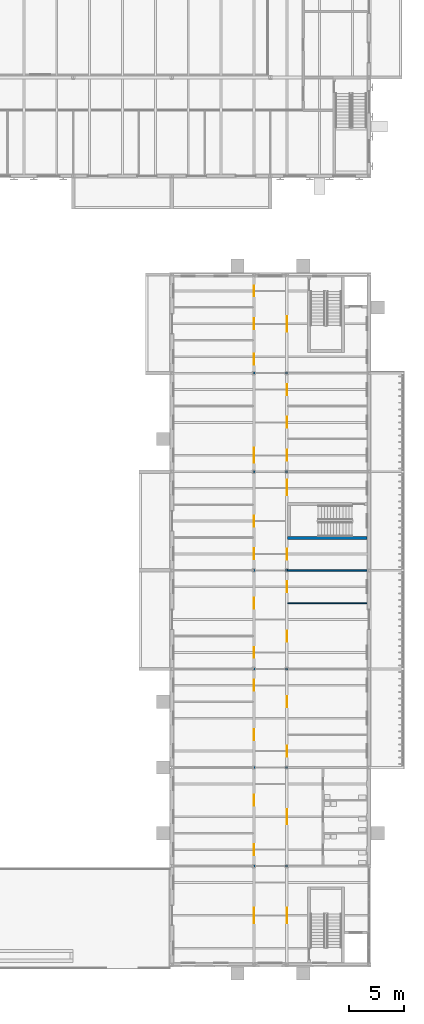
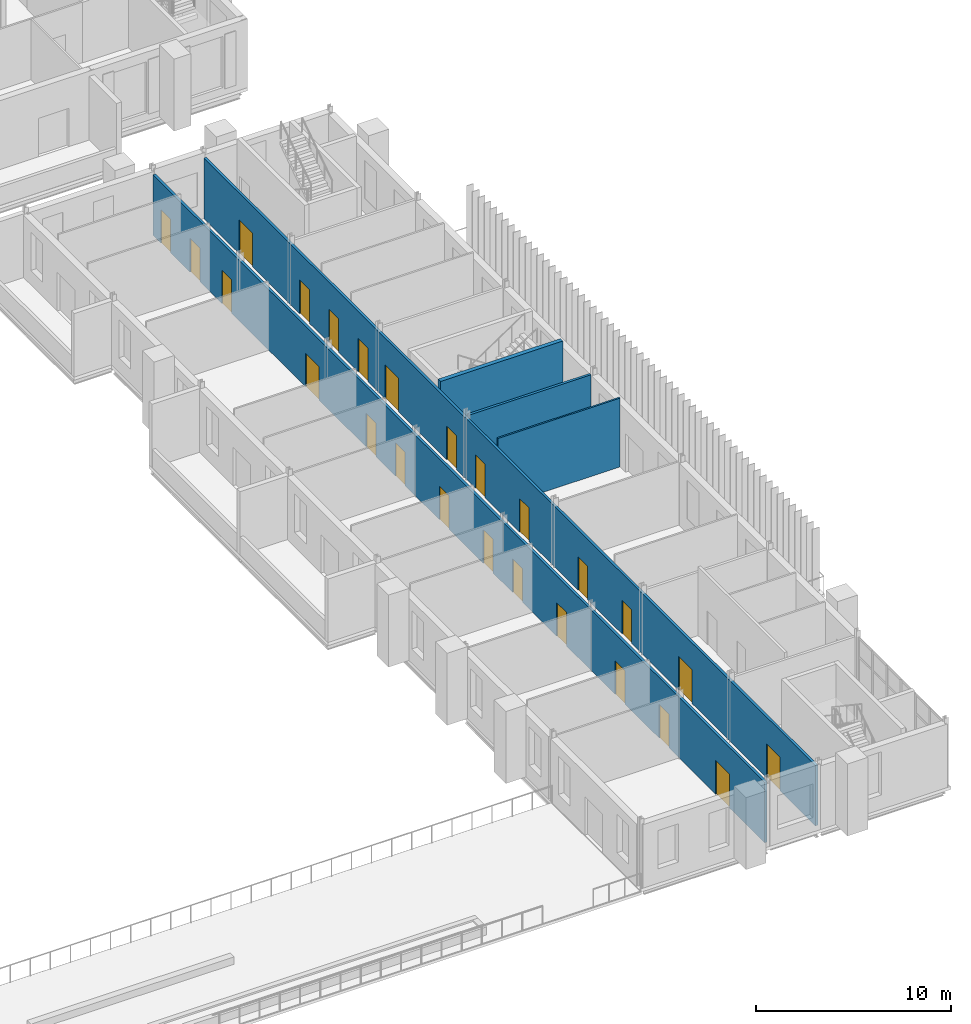
# One storey, part 89 of 134: 25 doors, 5 walls, 25 openings.
"""IFC4 building model written with IfcOpenShell, lengths in metres."""

import ifcopenshell
import ifcopenshell.guid

model = None  # the IFC model being written
_history = None  # IfcOwnerHistory: only IFC2X3 demands one
_inside = {}  # id of a spatial element -> (the spatial element, [elements in it])
_under = {}  # id of a project, library or spatial element -> (it, [spatial elements below it])
_declared = {}  # id of a project -> (the project, [libraries it declares])
_typed = {}  # id of a type object -> (the type object, [elements of that type])
_made_of = {}  # id of a material, layer set ... -> (it, [elements and type objects made of it])


def new_model(schema):
    """Start an empty IFC model of exactly this schema.

    Asked for "IFC4X3", IfcOpenShell would pick the latest addendum, in which some entities
    have other attributes; the version numbers below select the first issue.
    IFC2X3 requires an IfcOwnerHistory on every rooted entity: one is made here for all.
    """
    global model, _history
    if schema == "IFC4X3":
        model = ifcopenshell.file(schema_version=(4, 3, 0, 0))
    else:
        model = ifcopenshell.file(schema=schema)
    _inside.clear()
    _under.clear()
    _declared.clear()
    _typed.clear()
    _made_of.clear()
    _history = None
    if model.schema == "IFC2X3":
        org = make("IfcOrganization", Name="unknown")
        user = make(
            "IfcPersonAndOrganization",
            ThePerson=make("IfcPerson", FamilyName="unknown"),
            TheOrganization=org,
        )
        app = make(
            "IfcApplication",
            ApplicationDeveloper=org,
            Version="unknown",
            ApplicationFullName="unknown",
            ApplicationIdentifier="unknown",
        )
        _history = make(
            "IfcOwnerHistory",
            OwningUser=user,
            OwningApplication=app,
            ChangeAction="ADDED",
            CreationDate=0,
        )
    return model


def make(cls, **values):
    """One entity of the class cls with the attributes given. An attribute that is None is left unset."""
    return model.create_entity(
        cls, **{name: value for name, value in values.items() if value is not None}
    )


def rooted(cls, **values):
    """An entity with a GlobalId (a new one), such as an element, a storey or a relation."""
    return make(cls, GlobalId=ifcopenshell.guid.new(), OwnerHistory=_history, **values)


def si_unit(unit_type, name, prefix=None):
    """IfcSIUnit, for example si_unit("LENGTHUNIT", "METRE", prefix="MILLI")."""
    return make("IfcSIUnit", UnitType=unit_type, Prefix=prefix, Name=name)


def assignment(units):
    """IfcUnitAssignment: the units of a project."""
    return None if units is None else make("IfcUnitAssignment", Units=units)


def point(xyz):
    """IfcCartesianPoint."""
    return None if xyz is None else make("IfcCartesianPoint", Coordinates=xyz)


def direction(xyz):
    """IfcDirection."""
    return None if xyz is None else make("IfcDirection", DirectionRatios=xyz)


def frame(location, z_axis=None, x_axis=None):
    """IfcAxis2Placement3D, a coordinate frame: its origin and axes. An axis left out is left unset."""
    return make(
        "IfcAxis2Placement3D",
        Location=point(location),
        Axis=direction(z_axis),
        RefDirection=direction(x_axis),
    )


def frame_2d(location, x_axis=None):
    """IfcAxis2Placement2D, a coordinate frame in the plane: its origin and x axis."""
    return make(
        "IfcAxis2Placement2D", Location=point(location), RefDirection=direction(x_axis)
    )


def origin():
    """The frame at (0, 0, 0) with its axes left unset."""
    return frame((0.0, 0.0, 0.0))


def place(relative_to, where):
    """IfcLocalPlacement: puts the frame where relative to a parent placement (None: the world)."""
    return make(
        "IfcLocalPlacement", PlacementRelTo=relative_to, RelativePlacement=where
    )


def context(
    kind, dimensions, precision=None, world=None, true_north=None, identifier=None
):
    """IfcGeometricRepresentationContext, for example the 3D "Model" context."""
    return make(
        "IfcGeometricRepresentationContext",
        ContextIdentifier=identifier,
        ContextType=kind,
        CoordinateSpaceDimension=dimensions,
        Precision=precision,
        WorldCoordinateSystem=world,
        TrueNorth=true_north,
    )


def subcontext(parent, identifier, kind, view, scale=None):
    """IfcGeometricRepresentationSubContext, for example "Body" below "Model"."""
    return make(
        "IfcGeometricRepresentationSubContext",
        ContextIdentifier=identifier,
        ContextType=kind,
        ParentContext=parent,
        TargetScale=scale,
        TargetView=view,
    )


def project(units=None, contexts=None):
    """IfcProject with its units and contexts."""
    return rooted(
        "IfcProject",
        Name="project",
        RepresentationContexts=contexts,
        UnitsInContext=assignment(units),
    )


def spatial(cls, under=None, at=None, **own):
    """A site, building, storey or space (cls), placed at a placement, below another one or the project."""
    s = rooted(cls, ObjectPlacement=at, **own)
    if under is not None:
        _under.setdefault(under.id(), (under, []))[1].append(s)
    return s


def profile(cls, at=None, kind="AREA", **sizes):
    """A parametric profile (cls). Its sizes go by their IFC names, for example OverallWidth=200.0."""
    return make(cls, ProfileType=kind, Position=at, **sizes)


def rectangle(**sizes):
    """IfcRectangleProfileDef."""
    return profile("IfcRectangleProfileDef", **sizes)


def extrude(swept, where, along, depth):
    """IfcExtrudedAreaSolid: the profile swept, set in the frame where, extruded along a direction by depth."""
    return make(
        "IfcExtrudedAreaSolid",
        SweptArea=swept,
        Position=where,
        ExtrudedDirection=direction(along),
        Depth=depth,
    )


def shape(context_of_items, identifier, shape_type, items):
    """IfcShapeRepresentation: the items that make up one representation, for example the "Body"."""
    return make(
        "IfcShapeRepresentation",
        ContextOfItems=context_of_items,
        RepresentationIdentifier=identifier,
        RepresentationType=shape_type,
        Items=items,
    )


def material(Name=None, Category=None):
    """IfcMaterial."""
    return make("IfcMaterial", Name=Name, Category=Category)


def layer(
    of_material, thickness, ventilated=None, Name=None, Category=None, Priority=None
):
    """IfcMaterialLayer: one layer of a wall or slab, of a material (None: an air gap)."""
    return make(
        "IfcMaterialLayer",
        Material=of_material,
        LayerThickness=thickness,
        IsVentilated=ventilated,
        Name=Name,
        Category=Category,
        Priority=Priority,
    )


def layer_set(layers, Name=None):
    """IfcMaterialLayerSet."""
    return make("IfcMaterialLayerSet", MaterialLayers=layers, LayerSetName=Name)


def made_of(thing, what):
    """Note that an element or type object is made of a material, layer set ...; save() writes the relation."""
    if what is not None:
        _made_of.setdefault(what.id(), (what, []))[1].append(thing)
    return thing


def type_object(cls, material=None, **own):
    """A type object (cls), such as IfcWallType, which elements share."""
    return made_of(rooted(cls, **own), material)


def element(
    cls,
    number,
    at=None,
    inside=None,
    cuts=None,
    type_object=None,
    material=None,
    context=None,
    identifier="Body",
    shape_type=None,
    held_by="IfcProductDefinitionShape",
    body=None,
    shapes=None,
    **own,
):
    """One element of the class cls, such as IfcWall. Its Tag is "e" and its number.

    at: its placement. inside: the storey or other place that contains it. cuts: it is an
    opening in that element (IfcRelVoidsElement). A single representation is given by context,
    identifier, shape_type and body (its items); several are given by shapes. held_by: the class
    of the entity that holds the representations. save() writes the other relations.
    """
    e = rooted(cls, Tag="e%d" % number, ObjectPlacement=at, **own)
    if body is not None:
        shapes = [shape(context, identifier, shape_type, body)]
    if shapes is not None:
        e.Representation = make(held_by, Representations=shapes)
    if inside is not None:
        _inside.setdefault(inside.id(), (inside, []))[1].append(e)
    if cuts is not None:
        rooted(
            "IfcRelVoidsElement", RelatingBuildingElement=cuts, RelatedOpeningElement=e
        )
    if type_object is not None:
        _typed.setdefault(type_object.id(), (type_object, []))[1].append(e)
    return made_of(e, material)


def fill(opening, filler):
    """IfcRelFillsElement: the door or window that sits in an opening."""
    return rooted(
        "IfcRelFillsElement",
        RelatingOpeningElement=opening,
        RelatedBuildingElement=filler,
    )


def aggregate(whole, parts):
    """IfcRelAggregates: a whole, such as a stair, and the parts it consists of."""
    return rooted("IfcRelAggregates", RelatingObject=whole, RelatedObjects=parts)


def save(model, path):
    """Write the relations noted so far, then the file.

    IfcRelAggregates (storeys below a building ...), IfcRelContainedInSpatialStructure (elements
    in a storey), IfcRelDefinesByType, IfcRelAssociatesMaterial and IfcRelDeclares: one each for
    every whole, place, type object, material and project.
    """
    for whole, parts in _under.values():
        aggregate(whole, parts)
    for where, things in _inside.values():
        rooted(
            "IfcRelContainedInSpatialStructure",
            RelatedElements=things,
            RelatingStructure=where,
        )
    for kind, things in _typed.values():
        rooted("IfcRelDefinesByType", RelatedObjects=things, RelatingType=kind)
    for what, things in _made_of.values():
        rooted("IfcRelAssociatesMaterial", RelatedObjects=things, RelatingMaterial=what)
    for by, libraries in _declared.values():
        rooted("IfcRelDeclares", RelatingContext=by, RelatedDefinitions=libraries)
    model.write(path)


model = new_model("IFC4")

# Units and contexts
model_context = context("Model", 3, precision=1e-05, world=origin(), true_north=direction((0.0, 1.0)))
body_context = subcontext(model_context, "Body", "Model", "MODEL_VIEW")
ifc_project = project(units=[si_unit("LENGTHUNIT", "METRE"), si_unit("AREAUNIT", "SQUARE_METRE"), si_unit("VOLUMEUNIT", "CUBIC_METRE"), si_unit("PLANEANGLEUNIT", "RADIAN"), si_unit("MASSUNIT", "GRAM", prefix="KILO")], contexts=[model_context])

# Site, building, storey
site_placement = place(None, origin())
site = spatial("IfcSite", under=ifc_project, at=site_placement, CompositionType="ELEMENT")
building_placement = place(site_placement, origin())
building = spatial("IfcBuilding", under=site, at=building_placement, Name="Golden Quay Civic Hall", CompositionType="ELEMENT")
storey_placement = place(building_placement, frame((0.0, 0.0, 5.39990234375)))
storey = spatial("IfcBuildingStorey", under=building, at=storey_placement, Name="L01", CompositionType="ELEMENT", Elevation=5.39990234375)

# Walls
ifc_material_1 = material(Name="Concrete C40/50", Category="concrete")
ifc_layer_1 = layer(ifc_material_1, 0.25)
ifc_layer_set_1 = layer_set([ifc_layer_1], Name="Concrete core wall 250, Concrete C40/50")
wall_type_1 = type_object("IfcWallType", Name="Concrete core wall 250", PredefinedType="SHEAR", material=ifc_layer_set_1)
wall_1_placement = place(storey_placement, frame((163.574951171875, 29.949951171875, 0.0), z_axis=(0.0, 0.0, 1.0), x_axis=(1.0, 0.0, 0.0)))
element("IfcWall", 1, at=wall_1_placement, inside=storey, type_object=wall_type_1, Name="Core wall EO-M-W2", PredefinedType="SHEAR", context=body_context, shape_type="SweptSolid", body=[
    extrude(rectangle(XDim=7.22509765625, YDim=0.25, at=frame_2d((3.612548828125, 0.0))), origin(), (0.0, 0.0, 1.0), 4.300048828125),
])
ifc_material_2 = material(Name="Plasterboard on steel studs", Category="steel")
ifc_layer_2 = layer(ifc_material_2, 0.10009765625)
ifc_layer_set_2 = layer_set([ifc_layer_2], Name="Partition 100 stud")
wall_type_2 = type_object("IfcWallType", Name="Partition 100 stud", PredefinedType="PARTITIONING", material=ifc_layer_set_2)
wall_2_placement = place(storey_placement, frame((163.574951171875, 24.0, 0.0), z_axis=(0.0, 0.0, 1.0), x_axis=(1.0, 0.0, 0.0)))
element("IfcWall", 2, at=wall_2_placement, inside=storey, type_object=wall_type_2, Name="Partition L01-003", PredefinedType="PARTITIONING", context=body_context, shape_type="SweptSolid", body=[
    extrude(rectangle(XDim=7.22509765625, YDim=0.10009765625, at=frame_2d((3.612548828125, 0.0))), origin(), (0.0, 0.0, 1.0), 4.300048828125),
])
ifc_material_3 = material(Name="Plasterboard on steel studs", Category="steel")
ifc_layer_3 = layer(ifc_material_3, 0.14990234375)
ifc_layer_set_3 = layer_set([ifc_layer_3], Name="Partition 150 stud fire EI 60")
wall_type_3 = type_object("IfcWallType", Name="Partition 150 stud fire EI 60", PredefinedType="PARTITIONING", material=ifc_layer_set_3)
wall_3_placement = place(storey_placement, frame((163.574951171875, 27.0, 0.0), z_axis=(0.0, 0.0, 1.0), x_axis=(1.0, 0.0, 0.0)))
element("IfcWall", 3, at=wall_3_placement, inside=storey, type_object=wall_type_3, Name="Partition L01-004", PredefinedType="PARTITIONING", context=body_context, shape_type="SweptSolid", body=[
    extrude(rectangle(XDim=7.22509765625, YDim=0.14990234375, at=frame_2d((3.612548828125, 0.0))), origin(), (0.0, 0.0, 1.0), 3.9501953125),
])

# Wall, openings, doors
wall_4_placement = place(storey_placement, frame((163.5, -8.800048828125, 0.0), z_axis=(0.0, 0.0, 1.0), x_axis=(0.0, 1.0, 0.0)))
wall_4 = element("IfcWall", 4, at=wall_4_placement, inside=storey, type_object=wall_type_3, Name="Partition L01-022", PredefinedType="PARTITIONING", context=body_context, shape_type="SweptSolid", body=[
    extrude(rectangle(XDim=62.60009765625, YDim=0.14990234375, at=frame_2d((31.300048828125, 0.0))), origin(), (0.0, 0.0, 1.0), 3.780029296875),
])
opening_1_placement = place(wall_4_placement, frame((18.800048828125, 0.0, 0.0)))
opening_1 = element("IfcOpeningElement", 5, at=opening_1_placement, cuts=wall_4, Name="Opening L01-D131", PredefinedType="OPENING", context=body_context, shape_type="SweptSolid", body=[
    extrude(rectangle(XDim=1.0, YDim=2.10009765625, at=frame_2d((0.5, 1.050048828125))), frame((0.0, 0.0849609375, 0.0), z_axis=(0.0, -1.0, 0.0), x_axis=(1.0, 0.0, 0.0)), (0.0, 0.0, 1.0), 0.169921875),
])
opening_2_placement = place(wall_4_placement, frame((23.300048828125, 0.0, 0.0)))
opening_2 = element("IfcOpeningElement", 6, at=opening_2_placement, cuts=wall_4, Name="Opening L01-D132", PredefinedType="OPENING", context=body_context, shape_type="SweptSolid", body=[
    extrude(rectangle(XDim=1.0, YDim=2.10009765625, at=frame_2d((0.5, 1.050048828125))), frame((0.0, 0.0849609375, 0.0), z_axis=(0.0, -1.0, 0.0), x_axis=(1.0, 0.0, 0.0)), (0.0, 0.0, 1.0), 0.169921875),
])
opening_3_placement = place(wall_4_placement, frame((29.300048828125, 0.0, 0.0)))
opening_3 = element("IfcOpeningElement", 7, at=opening_3_placement, cuts=wall_4, Name="Opening L01-D133", PredefinedType="OPENING", context=body_context, shape_type="SweptSolid", body=[
    extrude(rectangle(XDim=1.0, YDim=2.10009765625, at=frame_2d((0.5, 1.050048828125))), frame((0.0, 0.0849609375, 0.0), z_axis=(0.0, -1.0, 0.0), x_axis=(1.0, 0.0, 0.0)), (0.0, 0.0, 1.0), 0.169921875),
])
opening_4_placement = place(wall_4_placement, frame((33.800048828125, 0.0, 0.0)))
opening_4 = element("IfcOpeningElement", 8, at=opening_4_placement, cuts=wall_4, Name="Opening L01-D134", PredefinedType="OPENING", context=body_context, shape_type="SweptSolid", body=[
    extrude(rectangle(XDim=1.0, YDim=2.10009765625, at=frame_2d((0.5, 1.050048828125))), frame((0.0, 0.0849609375, 0.0), z_axis=(0.0, -1.0, 0.0), x_axis=(1.0, 0.0, 0.0)), (0.0, 0.0, 1.0), 0.169921875),
])
opening_5_placement = place(wall_4_placement, frame((45.800048828125, 0.0, 0.0)))
opening_5 = element("IfcOpeningElement", 9, at=opening_5_placement, cuts=wall_4, Name="Opening L01-D135", PredefinedType="OPENING", context=body_context, shape_type="SweptSolid", body=[
    extrude(rectangle(XDim=1.0, YDim=2.10009765625, at=frame_2d((0.5, 1.050048828125))), frame((0.0, 0.0849609375, 0.0), z_axis=(0.0, -1.0, 0.0), x_axis=(1.0, 0.0, 0.0)), (0.0, 0.0, 1.0), 0.169921875),
])
opening_6_placement = place(wall_4_placement, frame((48.800048828125, 0.0, 0.0)))
opening_6 = element("IfcOpeningElement", 10, at=opening_6_placement, cuts=wall_4, Name="Opening L01-D136", PredefinedType="OPENING", context=body_context, shape_type="SweptSolid", body=[
    extrude(rectangle(XDim=1.0, YDim=2.10009765625, at=frame_2d((0.5, 1.050048828125))), frame((0.0, 0.0849609375, 0.0), z_axis=(0.0, -1.0, 0.0), x_axis=(1.0, 0.0, 0.0)), (0.0, 0.0, 1.0), 0.169921875),
])
opening_7_placement = place(wall_4_placement, frame((51.800048828125, 0.0, 0.0)))
opening_7 = element("IfcOpeningElement", 11, at=opening_7_placement, cuts=wall_4, Name="Opening L01-D137", PredefinedType="OPENING", context=body_context, shape_type="SweptSolid", body=[
    extrude(rectangle(XDim=1.0, YDim=2.10009765625, at=frame_2d((0.5, 1.050048828125))), frame((0.0, 0.0849609375, 0.0), z_axis=(0.0, -1.0, 0.0), x_axis=(1.0, 0.0, 0.0)), (0.0, 0.0, 1.0), 0.169921875),
])
opening_8_placement = place(wall_4_placement, frame((12.60009765625, 0.0, 0.0)))
opening_8 = element("IfcOpeningElement", 12, at=opening_8_placement, cuts=wall_4, Name="Opening L01-D151", PredefinedType="OPENING", context=body_context, shape_type="SweptSolid", body=[
    extrude(rectangle(XDim=1.39990234375, YDim=2.10009765625, at=frame_2d((0.699951171875, 1.050048828125))), frame((0.0, 0.0849609375, 0.0), z_axis=(0.0, -1.0, 0.0), x_axis=(1.0, 0.0, 0.0)), (0.0, 0.0, 1.0), 0.169921875),
])
opening_9_placement = place(wall_4_placement, frame((3.60009765625, 0.0, 0.0)))
opening_9 = element("IfcOpeningElement", 13, at=opening_9_placement, cuts=wall_4, Name="Opening L01-D156", PredefinedType="OPENING", context=body_context, shape_type="SweptSolid", body=[
    extrude(rectangle(XDim=1.39990234375, YDim=2.10009765625, at=frame_2d((0.699951171875, 1.050048828125))), frame((0.0, 0.0849609375, 0.0), z_axis=(0.0, -1.0, 0.0), x_axis=(1.0, 0.0, 0.0)), (0.0, 0.0, 1.0), 0.169921875),
])
opening_10_placement = place(wall_4_placement, frame((57.60009765625, 0.0, 0.0)))
opening_10 = element("IfcOpeningElement", 14, at=opening_10_placement, cuts=wall_4, Name="Opening L01-D158", PredefinedType="OPENING", context=body_context, shape_type="SweptSolid", body=[
    extrude(rectangle(XDim=1.39990234375, YDim=2.10009765625, at=frame_2d((0.699951171875, 1.050048828125))), frame((0.0, 0.0849609375, 0.0), z_axis=(0.0, -1.0, 0.0), x_axis=(1.0, 0.0, 0.0)), (0.0, 0.0, 1.0), 0.169921875),
])
opening_11_placement = place(wall_4_placement, frame((36.75, 0.0, 0.0)))
opening_11 = element("IfcOpeningElement", 15, at=opening_11_placement, cuts=wall_4, Name="Opening L01-D159", PredefinedType="OPENING", context=body_context, shape_type="SweptSolid", body=[
    extrude(rectangle(XDim=1.0, YDim=2.10009765625, at=frame_2d((0.5, 1.050048828125))), frame((0.0, 0.0849609375, 0.0), z_axis=(0.0, -1.0, 0.0), x_axis=(1.0, 0.0, 0.0)), (0.0, 0.0, 1.0), 0.169921875),
])
opening_12_placement = place(wall_4_placement, frame((42.64990234375, 0.0, 0.0)))
opening_12 = element("IfcOpeningElement", 16, at=opening_12_placement, cuts=wall_4, Name="Opening L01-D161", PredefinedType="OPENING", context=body_context, shape_type="SweptSolid", body=[
    extrude(rectangle(XDim=1.39990234375, YDim=2.10009765625, at=frame_2d((0.699951171875, 1.050048828125))), frame((0.0, 0.0849609375, 0.0), z_axis=(0.0, -1.0, 0.0), x_axis=(1.0, 0.0, 0.0)), (0.0, 0.0, 1.0), 0.169921875),
])
ifc_material_4 = material(Name="Steel", Category="steel")
door_type_1 = type_object("IfcDoorType", Name="Steel double fire door FD30S 1400 x 2100", OperationType="DOUBLE_DOOR_SINGLE_SWING", PredefinedType="DOOR", material=ifc_material_4)
door_1_placement = place(opening_8_placement, frame((1.39990234375, 0.0, 0.0), z_axis=(0.0, 0.0, 1.0), x_axis=(-1.0, 0.0, 0.0)))
door_1 = element("IfcDoor", 17, at=door_1_placement, inside=storey, type_object=door_type_1, Name="Door L01-D151", OperationType="DOUBLE_DOOR_SINGLE_SWING", OverallHeight=2.10009765625, OverallWidth=1.39990234375, PredefinedType="DOOR", context=body_context, shape_type="SweptSolid", body=[
    extrude(rectangle(XDim=1.39990234375, YDim=2.10009765625, at=frame_2d((0.699951171875, 1.050048828125))), frame((0.0, 0.025146484375, 0.0), z_axis=(0.0, -1.0, 0.0), x_axis=(1.0, 0.0, 0.0)), (0.0, 0.0, 1.0), 0.050048828125),
])
fill(opening_8, door_1)
door_2_placement = place(opening_9_placement, origin())
door_2 = element("IfcDoor", 18, at=door_2_placement, inside=storey, type_object=door_type_1, Name="Door L01-D156", OperationType="DOUBLE_DOOR_SINGLE_SWING", OverallHeight=2.10009765625, OverallWidth=1.39990234375, PredefinedType="DOOR", context=body_context, shape_type="SweptSolid", body=[
    extrude(rectangle(XDim=1.39990234375, YDim=2.10009765625, at=frame_2d((0.699951171875, 1.050048828125))), frame((0.0, 0.02490234375, 0.0), z_axis=(0.0, -1.0, 0.0), x_axis=(1.0, 0.0, 0.0)), (0.0, 0.0, 1.0), 0.050048828125),
])
fill(opening_9, door_2)
door_3_placement = place(opening_10_placement, origin())
door_3 = element("IfcDoor", 19, at=door_3_placement, inside=storey, type_object=door_type_1, Name="Door L01-D158", OperationType="DOUBLE_DOOR_SINGLE_SWING", OverallHeight=2.10009765625, OverallWidth=1.39990234375, PredefinedType="DOOR", context=body_context, shape_type="SweptSolid", body=[
    extrude(rectangle(XDim=1.39990234375, YDim=2.10009765625, at=frame_2d((0.699951171875, 1.050048828125))), frame((0.0, 0.02490234375, 0.0), z_axis=(0.0, -1.0, 0.0), x_axis=(1.0, 0.0, 0.0)), (0.0, 0.0, 1.0), 0.050048828125),
])
fill(opening_10, door_3)
door_4_placement = place(opening_12_placement, origin())
door_4 = element("IfcDoor", 20, at=door_4_placement, inside=storey, type_object=door_type_1, Name="Door L01-D161", OperationType="DOUBLE_DOOR_SINGLE_SWING", OverallHeight=2.10009765625, OverallWidth=1.39990234375, PredefinedType="DOOR", context=body_context, shape_type="SweptSolid", body=[
    extrude(rectangle(XDim=1.39990234375, YDim=2.10009765625, at=frame_2d((0.699951171875, 1.050048828125))), frame((0.0, 0.02490234375, 0.0), z_axis=(0.0, -1.0, 0.0), x_axis=(1.0, 0.0, 0.0)), (0.0, 0.0, 1.0), 0.050048828125),
])
fill(opening_12, door_4)
ifc_material_5 = material(Name="Steel", Category="steel")
door_type_2 = type_object("IfcDoorType", Name="Steel fire door FD30S 1000 x 2100", OperationType="SINGLE_SWING_LEFT", PredefinedType="DOOR", material=ifc_material_5)
door_5_placement = place(opening_1_placement, frame((1.0, 0.0, 0.0), z_axis=(0.0, 0.0, 1.0), x_axis=(-1.0, 0.0, 0.0)))
door_5 = element("IfcDoor", 21, at=door_5_placement, inside=storey, type_object=door_type_2, Name="Door L01-D131", OperationType="SINGLE_SWING_RIGHT", OverallHeight=2.10009765625, OverallWidth=1.0, PredefinedType="DOOR", context=body_context, shape_type="SweptSolid", body=[
    extrude(rectangle(XDim=1.0, YDim=2.10009765625, at=frame_2d((0.5, 1.050048828125))), frame((0.0, 0.025146484375, 0.0), z_axis=(0.0, -1.0, 0.0), x_axis=(1.0, 0.0, 0.0)), (0.0, 0.0, 1.0), 0.050048828125),
])
fill(opening_1, door_5)
door_6_placement = place(opening_2_placement, frame((1.0, 0.0, 0.0), z_axis=(0.0, 0.0, 1.0), x_axis=(-1.0, 0.0, 0.0)))
door_6 = element("IfcDoor", 22, at=door_6_placement, inside=storey, type_object=door_type_2, Name="Door L01-D132", OperationType="SINGLE_SWING_RIGHT", OverallHeight=2.10009765625, OverallWidth=1.0, PredefinedType="DOOR", context=body_context, shape_type="SweptSolid", body=[
    extrude(rectangle(XDim=1.0, YDim=2.10009765625, at=frame_2d((0.5, 1.050048828125))), frame((0.0, 0.025146484375, 0.0), z_axis=(0.0, -1.0, 0.0), x_axis=(1.0, 0.0, 0.0)), (0.0, 0.0, 1.0), 0.050048828125),
])
fill(opening_2, door_6)
door_7_placement = place(opening_3_placement, frame((1.0, 0.0, 0.0), z_axis=(0.0, 0.0, 1.0), x_axis=(-1.0, 0.0, 0.0)))
door_7 = element("IfcDoor", 23, at=door_7_placement, inside=storey, type_object=door_type_2, Name="Door L01-D133", OperationType="SINGLE_SWING_RIGHT", OverallHeight=2.10009765625, OverallWidth=1.0, PredefinedType="DOOR", context=body_context, shape_type="SweptSolid", body=[
    extrude(rectangle(XDim=1.0, YDim=2.10009765625, at=frame_2d((0.5, 1.050048828125))), frame((0.0, 0.025146484375, 0.0), z_axis=(0.0, -1.0, 0.0), x_axis=(1.0, 0.0, 0.0)), (0.0, 0.0, 1.0), 0.050048828125),
])
fill(opening_3, door_7)
door_8_placement = place(opening_4_placement, frame((1.0, 0.0, 0.0), z_axis=(0.0, 0.0, 1.0), x_axis=(-1.0, 0.0, 0.0)))
door_8 = element("IfcDoor", 24, at=door_8_placement, inside=storey, type_object=door_type_2, Name="Door L01-D134", OperationType="SINGLE_SWING_RIGHT", OverallHeight=2.10009765625, OverallWidth=1.0, PredefinedType="DOOR", context=body_context, shape_type="SweptSolid", body=[
    extrude(rectangle(XDim=1.0, YDim=2.10009765625, at=frame_2d((0.5, 1.050048828125))), frame((0.0, 0.025146484375, 0.0), z_axis=(0.0, -1.0, 0.0), x_axis=(1.0, 0.0, 0.0)), (0.0, 0.0, 1.0), 0.050048828125),
])
fill(opening_4, door_8)
door_9_placement = place(opening_5_placement, frame((1.0, 0.0, 0.0), z_axis=(0.0, 0.0, 1.0), x_axis=(-1.0, 0.0, 0.0)))
door_9 = element("IfcDoor", 25, at=door_9_placement, inside=storey, type_object=door_type_2, Name="Door L01-D135", OperationType="SINGLE_SWING_RIGHT", OverallHeight=2.10009765625, OverallWidth=1.0, PredefinedType="DOOR", context=body_context, shape_type="SweptSolid", body=[
    extrude(rectangle(XDim=1.0, YDim=2.10009765625, at=frame_2d((0.5, 1.050048828125))), frame((0.0, 0.025146484375, 0.0), z_axis=(0.0, -1.0, 0.0), x_axis=(1.0, 0.0, 0.0)), (0.0, 0.0, 1.0), 0.050048828125),
])
fill(opening_5, door_9)
door_10_placement = place(opening_6_placement, frame((1.0, 0.0, 0.0), z_axis=(0.0, 0.0, 1.0), x_axis=(-1.0, 0.0, 0.0)))
door_10 = element("IfcDoor", 26, at=door_10_placement, inside=storey, type_object=door_type_2, Name="Door L01-D136", OperationType="SINGLE_SWING_RIGHT", OverallHeight=2.10009765625, OverallWidth=1.0, PredefinedType="DOOR", context=body_context, shape_type="SweptSolid", body=[
    extrude(rectangle(XDim=1.0, YDim=2.10009765625, at=frame_2d((0.5, 1.050048828125))), frame((0.0, 0.025146484375, 0.0), z_axis=(0.0, -1.0, 0.0), x_axis=(1.0, 0.0, 0.0)), (0.0, 0.0, 1.0), 0.050048828125),
])
fill(opening_6, door_10)
door_11_placement = place(opening_7_placement, frame((1.0, 0.0, 0.0), z_axis=(0.0, 0.0, 1.0), x_axis=(-1.0, 0.0, 0.0)))
door_11 = element("IfcDoor", 27, at=door_11_placement, inside=storey, type_object=door_type_2, Name="Door L01-D137", OperationType="SINGLE_SWING_RIGHT", OverallHeight=2.10009765625, OverallWidth=1.0, PredefinedType="DOOR", context=body_context, shape_type="SweptSolid", body=[
    extrude(rectangle(XDim=1.0, YDim=2.10009765625, at=frame_2d((0.5, 1.050048828125))), frame((0.0, 0.025146484375, 0.0), z_axis=(0.0, -1.0, 0.0), x_axis=(1.0, 0.0, 0.0)), (0.0, 0.0, 1.0), 0.050048828125),
])
fill(opening_7, door_11)
door_12_placement = place(opening_11_placement, frame((1.0, 0.0, 0.0), z_axis=(0.0, 0.0, 1.0), x_axis=(-1.0, 0.0, 0.0)))
door_12 = element("IfcDoor", 28, at=door_12_placement, inside=storey, type_object=door_type_2, Name="Door L01-D159", OperationType="SINGLE_SWING_RIGHT", OverallHeight=2.10009765625, OverallWidth=1.0, PredefinedType="DOOR", context=body_context, shape_type="SweptSolid", body=[
    extrude(rectangle(XDim=1.0, YDim=2.10009765625, at=frame_2d((0.5, 1.050048828125))), frame((0.0, 0.025146484375, 0.0), z_axis=(0.0, -1.0, 0.0), x_axis=(1.0, 0.0, 0.0)), (0.0, 0.0, 1.0), 0.050048828125),
])
fill(opening_11, door_12)

wall_5_placement = place(storey_placement, frame((160.5, -8.800048828125, 0.0), z_axis=(0.0, 0.0, 1.0), x_axis=(0.0, 1.0, 0.0)))
wall_5 = element("IfcWall", 29, at=wall_5_placement, inside=storey, type_object=wall_type_3, Name="Partition L01-023", PredefinedType="PARTITIONING", context=body_context, shape_type="SweptSolid", body=[
    extrude(rectangle(XDim=62.60009765625, YDim=0.14990234375, at=frame_2d((31.300048828125, 0.0))), origin(), (0.0, 0.0, 1.0), 3.780029296875),
])
opening_13_placement = place(wall_5_placement, frame((3.60009765625, 0.0, 0.0)))
opening_13 = element("IfcOpeningElement", 30, at=opening_13_placement, cuts=wall_5, Name="Opening L01-D138", PredefinedType="OPENING", context=body_context, shape_type="SweptSolid", body=[
    extrude(rectangle(XDim=1.39990234375, YDim=2.10009765625, at=frame_2d((0.699951171875, 1.050048828125))), frame((0.0, 0.0849609375, 0.0), z_axis=(0.0, -1.0, 0.0), x_axis=(1.0, 0.0, 0.0)), (0.0, 0.0, 1.0), 0.169921875),
])
opening_14_placement = place(wall_5_placement, frame((9.800048828125, 0.0, 0.0)))
opening_14 = element("IfcOpeningElement", 31, at=opening_14_placement, cuts=wall_5, Name="Opening L01-D139", PredefinedType="OPENING", context=body_context, shape_type="SweptSolid", body=[
    extrude(rectangle(XDim=1.0, YDim=2.10009765625, at=frame_2d((0.5, 1.050048828125))), frame((0.0, 0.0849609375, 0.0), z_axis=(0.0, -1.0, 0.0), x_axis=(1.0, 0.0, 0.0)), (0.0, 0.0, 1.0), 0.169921875),
])
opening_15_placement = place(wall_5_placement, frame((14.300048828125, 0.0, 0.0)))
opening_15 = element("IfcOpeningElement", 32, at=opening_15_placement, cuts=wall_5, Name="Opening L01-D140", PredefinedType="OPENING", context=body_context, shape_type="SweptSolid", body=[
    extrude(rectangle(XDim=1.0, YDim=2.10009765625, at=frame_2d((0.5, 1.050048828125))), frame((0.0, 0.0849609375, 0.0), z_axis=(0.0, -1.0, 0.0), x_axis=(1.0, 0.0, 0.0)), (0.0, 0.0, 1.0), 0.169921875),
])
opening_16_placement = place(wall_5_placement, frame((20.300048828125, 0.0, 0.0)))
opening_16 = element("IfcOpeningElement", 33, at=opening_16_placement, cuts=wall_5, Name="Opening L01-D141", PredefinedType="OPENING", context=body_context, shape_type="SweptSolid", body=[
    extrude(rectangle(XDim=1.0, YDim=2.10009765625, at=frame_2d((0.5, 1.050048828125))), frame((0.0, 0.0849609375, 0.0), z_axis=(0.0, -1.0, 0.0), x_axis=(1.0, 0.0, 0.0)), (0.0, 0.0, 1.0), 0.169921875),
])
opening_17_placement = place(wall_5_placement, frame((24.800048828125, 0.0, 0.0)))
opening_17 = element("IfcOpeningElement", 34, at=opening_17_placement, cuts=wall_5, Name="Opening L01-D142", PredefinedType="OPENING", context=body_context, shape_type="SweptSolid", body=[
    extrude(rectangle(XDim=1.0, YDim=2.10009765625, at=frame_2d((0.5, 1.050048828125))), frame((0.0, 0.0849609375, 0.0), z_axis=(0.0, -1.0, 0.0), x_axis=(1.0, 0.0, 0.0)), (0.0, 0.0, 1.0), 0.169921875),
])
opening_18_placement = place(wall_5_placement, frame((27.800048828125, 0.0, 0.0)))
opening_18 = element("IfcOpeningElement", 35, at=opening_18_placement, cuts=wall_5, Name="Opening L01-D143", PredefinedType="OPENING", context=body_context, shape_type="SweptSolid", body=[
    extrude(rectangle(XDim=1.0, YDim=2.10009765625, at=frame_2d((0.5, 1.050048828125))), frame((0.0, 0.0849609375, 0.0), z_axis=(0.0, -1.0, 0.0), x_axis=(1.0, 0.0, 0.0)), (0.0, 0.0, 1.0), 0.169921875),
])
opening_19_placement = place(wall_5_placement, frame((32.300048828125, 0.0, 0.0)))
opening_19 = element("IfcOpeningElement", 36, at=opening_19_placement, cuts=wall_5, Name="Opening L01-D144", PredefinedType="OPENING", context=body_context, shape_type="SweptSolid", body=[
    extrude(rectangle(XDim=1.0, YDim=2.10009765625, at=frame_2d((0.5, 1.050048828125))), frame((0.0, 0.0849609375, 0.0), z_axis=(0.0, -1.0, 0.0), x_axis=(1.0, 0.0, 0.0)), (0.0, 0.0, 1.0), 0.169921875),
])
opening_20_placement = place(wall_5_placement, frame((36.800048828125, 0.0, 0.0)))
opening_20 = element("IfcOpeningElement", 37, at=opening_20_placement, cuts=wall_5, Name="Opening L01-D145", PredefinedType="OPENING", context=body_context, shape_type="SweptSolid", body=[
    extrude(rectangle(XDim=1.0, YDim=2.10009765625, at=frame_2d((0.5, 1.050048828125))), frame((0.0, 0.0849609375, 0.0), z_axis=(0.0, -1.0, 0.0), x_axis=(1.0, 0.0, 0.0)), (0.0, 0.0, 1.0), 0.169921875),
])
opening_21_placement = place(wall_5_placement, frame((39.800048828125, 0.0, 0.0)))
opening_21 = element("IfcOpeningElement", 38, at=opening_21_placement, cuts=wall_5, Name="Opening L01-D146", PredefinedType="OPENING", context=body_context, shape_type="SweptSolid", body=[
    extrude(rectangle(XDim=1.0, YDim=2.10009765625, at=frame_2d((0.5, 1.050048828125))), frame((0.0, 0.0849609375, 0.0), z_axis=(0.0, -1.0, 0.0), x_axis=(1.0, 0.0, 0.0)), (0.0, 0.0, 1.0), 0.169921875),
])
opening_22_placement = place(wall_5_placement, frame((45.60009765625, 0.0, 0.0)))
opening_22 = element("IfcOpeningElement", 39, at=opening_22_placement, cuts=wall_5, Name="Opening L01-D147", PredefinedType="OPENING", context=body_context, shape_type="SweptSolid", body=[
    extrude(rectangle(XDim=1.39990234375, YDim=2.10009765625, at=frame_2d((0.699951171875, 1.050048828125))), frame((0.0, 0.0849609375, 0.0), z_axis=(0.0, -1.0, 0.0), x_axis=(1.0, 0.0, 0.0)), (0.0, 0.0, 1.0), 0.169921875),
])
opening_23_placement = place(wall_5_placement, frame((54.550048828125, 0.0, 0.0)))
opening_23 = element("IfcOpeningElement", 40, at=opening_23_placement, cuts=wall_5, Name="Opening L01-D148", PredefinedType="OPENING", context=body_context, shape_type="SweptSolid", body=[
    extrude(rectangle(XDim=1.0, YDim=2.10009765625, at=frame_2d((0.5, 1.050048828125))), frame((0.0, 0.0849609375, 0.0), z_axis=(0.0, -1.0, 0.0), x_axis=(1.0, 0.0, 0.0)), (0.0, 0.0, 1.0), 0.169921875),
])
opening_24_placement = place(wall_5_placement, frame((57.800048828125, 0.0, 0.0)))
opening_24 = element("IfcOpeningElement", 41, at=opening_24_placement, cuts=wall_5, Name="Opening L01-D149", PredefinedType="OPENING", context=body_context, shape_type="SweptSolid", body=[
    extrude(rectangle(XDim=1.0, YDim=2.10009765625, at=frame_2d((0.5, 1.050048828125))), frame((0.0, 0.0849609375, 0.0), z_axis=(0.0, -1.0, 0.0), x_axis=(1.0, 0.0, 0.0)), (0.0, 0.0, 1.0), 0.169921875),
])
opening_25_placement = place(wall_5_placement, frame((60.800048828125, 0.0, 0.0)))
opening_25 = element("IfcOpeningElement", 42, at=opening_25_placement, cuts=wall_5, Name="Opening L01-D150", PredefinedType="OPENING", context=body_context, shape_type="SweptSolid", body=[
    extrude(rectangle(XDim=1.0, YDim=2.10009765625, at=frame_2d((0.5, 1.050048828125))), frame((0.0, 0.0849609375, 0.0), z_axis=(0.0, -1.0, 0.0), x_axis=(1.0, 0.0, 0.0)), (0.0, 0.0, 1.0), 0.169921875),
])
door_13_placement = place(opening_13_placement, origin())
door_13 = element("IfcDoor", 43, at=door_13_placement, inside=storey, type_object=door_type_1, Name="Door L01-D138", OperationType="DOUBLE_DOOR_SINGLE_SWING", OverallHeight=2.10009765625, OverallWidth=1.39990234375, PredefinedType="DOOR", context=body_context, shape_type="SweptSolid", body=[
    extrude(rectangle(XDim=1.39990234375, YDim=2.10009765625, at=frame_2d((0.699951171875, 1.050048828125))), frame((0.0, 0.02490234375, 0.0), z_axis=(0.0, -1.0, 0.0), x_axis=(1.0, 0.0, 0.0)), (0.0, 0.0, 1.0), 0.050048828125),
])
fill(opening_13, door_13)
door_14_placement = place(opening_22_placement, origin())
door_14 = element("IfcDoor", 44, at=door_14_placement, inside=storey, type_object=door_type_1, Name="Door L01-D147", OperationType="DOUBLE_DOOR_SINGLE_SWING", OverallHeight=2.10009765625, OverallWidth=1.39990234375, PredefinedType="DOOR", context=body_context, shape_type="SweptSolid", body=[
    extrude(rectangle(XDim=1.39990234375, YDim=2.10009765625, at=frame_2d((0.699951171875, 1.050048828125))), frame((0.0, 0.02490234375, 0.0), z_axis=(0.0, -1.0, 0.0), x_axis=(1.0, 0.0, 0.0)), (0.0, 0.0, 1.0), 0.050048828125),
])
fill(opening_22, door_14)
door_15_placement = place(opening_14_placement, origin())
door_15 = element("IfcDoor", 45, at=door_15_placement, inside=storey, type_object=door_type_2, Name="Door L01-D139", OperationType="SINGLE_SWING_LEFT", OverallHeight=2.10009765625, OverallWidth=1.0, PredefinedType="DOOR", context=body_context, shape_type="SweptSolid", body=[
    extrude(rectangle(XDim=1.0, YDim=2.10009765625, at=frame_2d((0.5, 1.050048828125))), frame((0.0, 0.02490234375, 0.0), z_axis=(0.0, -1.0, 0.0), x_axis=(1.0, 0.0, 0.0)), (0.0, 0.0, 1.0), 0.050048828125),
])
fill(opening_14, door_15)
door_16_placement = place(opening_15_placement, origin())
door_16 = element("IfcDoor", 46, at=door_16_placement, inside=storey, type_object=door_type_2, Name="Door L01-D140", OperationType="SINGLE_SWING_LEFT", OverallHeight=2.10009765625, OverallWidth=1.0, PredefinedType="DOOR", context=body_context, shape_type="SweptSolid", body=[
    extrude(rectangle(XDim=1.0, YDim=2.10009765625, at=frame_2d((0.5, 1.050048828125))), frame((0.0, 0.02490234375, 0.0), z_axis=(0.0, -1.0, 0.0), x_axis=(1.0, 0.0, 0.0)), (0.0, 0.0, 1.0), 0.050048828125),
])
fill(opening_15, door_16)
door_17_placement = place(opening_16_placement, origin())
door_17 = element("IfcDoor", 47, at=door_17_placement, inside=storey, type_object=door_type_2, Name="Door L01-D141", OperationType="SINGLE_SWING_LEFT", OverallHeight=2.10009765625, OverallWidth=1.0, PredefinedType="DOOR", context=body_context, shape_type="SweptSolid", body=[
    extrude(rectangle(XDim=1.0, YDim=2.10009765625, at=frame_2d((0.5, 1.050048828125))), frame((0.0, 0.02490234375, 0.0), z_axis=(0.0, -1.0, 0.0), x_axis=(1.0, 0.0, 0.0)), (0.0, 0.0, 1.0), 0.050048828125),
])
fill(opening_16, door_17)
door_18_placement = place(opening_17_placement, origin())
door_18 = element("IfcDoor", 48, at=door_18_placement, inside=storey, type_object=door_type_2, Name="Door L01-D142", OperationType="SINGLE_SWING_LEFT", OverallHeight=2.10009765625, OverallWidth=1.0, PredefinedType="DOOR", context=body_context, shape_type="SweptSolid", body=[
    extrude(rectangle(XDim=1.0, YDim=2.10009765625, at=frame_2d((0.5, 1.050048828125))), frame((0.0, 0.02490234375, 0.0), z_axis=(0.0, -1.0, 0.0), x_axis=(1.0, 0.0, 0.0)), (0.0, 0.0, 1.0), 0.050048828125),
])
fill(opening_17, door_18)
door_19_placement = place(opening_18_placement, origin())
door_19 = element("IfcDoor", 49, at=door_19_placement, inside=storey, type_object=door_type_2, Name="Door L01-D143", OperationType="SINGLE_SWING_LEFT", OverallHeight=2.10009765625, OverallWidth=1.0, PredefinedType="DOOR", context=body_context, shape_type="SweptSolid", body=[
    extrude(rectangle(XDim=1.0, YDim=2.10009765625, at=frame_2d((0.5, 1.050048828125))), frame((0.0, 0.02490234375, 0.0), z_axis=(0.0, -1.0, 0.0), x_axis=(1.0, 0.0, 0.0)), (0.0, 0.0, 1.0), 0.050048828125),
])
fill(opening_18, door_19)
door_20_placement = place(opening_19_placement, origin())
door_20 = element("IfcDoor", 50, at=door_20_placement, inside=storey, type_object=door_type_2, Name="Door L01-D144", OperationType="SINGLE_SWING_LEFT", OverallHeight=2.10009765625, OverallWidth=1.0, PredefinedType="DOOR", context=body_context, shape_type="SweptSolid", body=[
    extrude(rectangle(XDim=1.0, YDim=2.10009765625, at=frame_2d((0.5, 1.050048828125))), frame((0.0, 0.02490234375, 0.0), z_axis=(0.0, -1.0, 0.0), x_axis=(1.0, 0.0, 0.0)), (0.0, 0.0, 1.0), 0.050048828125),
])
fill(opening_19, door_20)
door_21_placement = place(opening_20_placement, origin())
door_21 = element("IfcDoor", 51, at=door_21_placement, inside=storey, type_object=door_type_2, Name="Door L01-D145", OperationType="SINGLE_SWING_LEFT", OverallHeight=2.10009765625, OverallWidth=1.0, PredefinedType="DOOR", context=body_context, shape_type="SweptSolid", body=[
    extrude(rectangle(XDim=1.0, YDim=2.10009765625, at=frame_2d((0.5, 1.050048828125))), frame((0.0, 0.02490234375, 0.0), z_axis=(0.0, -1.0, 0.0), x_axis=(1.0, 0.0, 0.0)), (0.0, 0.0, 1.0), 0.050048828125),
])
fill(opening_20, door_21)
door_22_placement = place(opening_21_placement, origin())
door_22 = element("IfcDoor", 52, at=door_22_placement, inside=storey, type_object=door_type_2, Name="Door L01-D146", OperationType="SINGLE_SWING_LEFT", OverallHeight=2.10009765625, OverallWidth=1.0, PredefinedType="DOOR", context=body_context, shape_type="SweptSolid", body=[
    extrude(rectangle(XDim=1.0, YDim=2.10009765625, at=frame_2d((0.5, 1.050048828125))), frame((0.0, 0.02490234375, 0.0), z_axis=(0.0, -1.0, 0.0), x_axis=(1.0, 0.0, 0.0)), (0.0, 0.0, 1.0), 0.050048828125),
])
fill(opening_21, door_22)
door_23_placement = place(opening_23_placement, origin())
door_23 = element("IfcDoor", 53, at=door_23_placement, inside=storey, type_object=door_type_2, Name="Door L01-D148", OperationType="SINGLE_SWING_LEFT", OverallHeight=2.10009765625, OverallWidth=1.0, PredefinedType="DOOR", context=body_context, shape_type="SweptSolid", body=[
    extrude(rectangle(XDim=1.0, YDim=2.10009765625, at=frame_2d((0.5, 1.050048828125))), frame((0.0, 0.02490234375, 0.0), z_axis=(0.0, -1.0, 0.0), x_axis=(1.0, 0.0, 0.0)), (0.0, 0.0, 1.0), 0.050048828125),
])
fill(opening_23, door_23)
door_24_placement = place(opening_24_placement, origin())
door_24 = element("IfcDoor", 54, at=door_24_placement, inside=storey, type_object=door_type_2, Name="Door L01-D149", OperationType="SINGLE_SWING_LEFT", OverallHeight=2.10009765625, OverallWidth=1.0, PredefinedType="DOOR", context=body_context, shape_type="SweptSolid", body=[
    extrude(rectangle(XDim=1.0, YDim=2.10009765625, at=frame_2d((0.5, 1.050048828125))), frame((0.0, 0.02490234375, 0.0), z_axis=(0.0, -1.0, 0.0), x_axis=(1.0, 0.0, 0.0)), (0.0, 0.0, 1.0), 0.050048828125),
])
fill(opening_24, door_24)
door_25_placement = place(opening_25_placement, origin())
door_25 = element("IfcDoor", 55, at=door_25_placement, inside=storey, type_object=door_type_2, Name="Door L01-D150", OperationType="SINGLE_SWING_LEFT", OverallHeight=2.10009765625, OverallWidth=1.0, PredefinedType="DOOR", context=body_context, shape_type="SweptSolid", body=[
    extrude(rectangle(XDim=1.0, YDim=2.10009765625, at=frame_2d((0.5, 1.050048828125))), frame((0.0, 0.02490234375, 0.0), z_axis=(0.0, -1.0, 0.0), x_axis=(1.0, 0.0, 0.0)), (0.0, 0.0, 1.0), 0.050048828125),
])
fill(opening_25, door_25)

save(model, "model.ifc")
